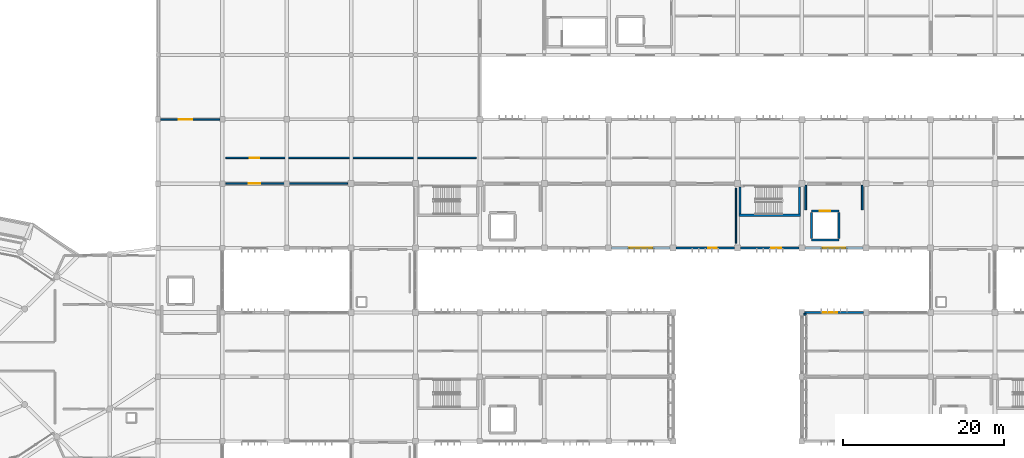
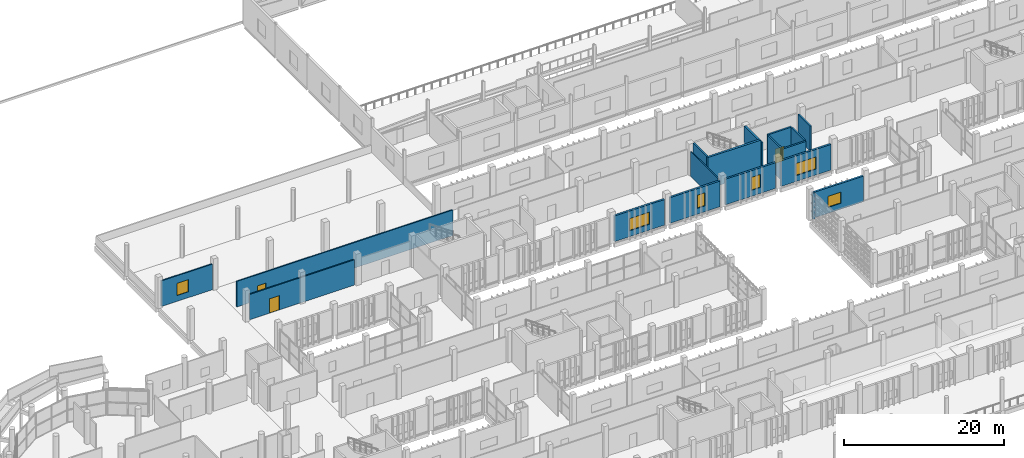
# One storey, part 83 of 106: 19 walls, 6 windows, 3 doors, 9 openings.
"""IFC4 building model written with IfcOpenShell, lengths in metres."""

from ifc_helpers import new_model, si_unit, direction, frame, frame_2d, origin, place, context, subcontext, project, spatial, rectangle, extrude, material, layer, layer_set, type_object, element, fill, save


model = new_model("IFC4")

# Units and contexts
model_context = context("Model", 3, precision=1e-05, world=origin(), true_north=direction((0.0, 1.0)))
body_context = subcontext(model_context, "Body", "Model", "MODEL_VIEW")
ifc_project = project(units=[si_unit("LENGTHUNIT", "METRE"), si_unit("AREAUNIT", "SQUARE_METRE"), si_unit("VOLUMEUNIT", "CUBIC_METRE"), si_unit("PLANEANGLEUNIT", "RADIAN"), si_unit("MASSUNIT", "GRAM", prefix="KILO")], contexts=[model_context])

# Site, building, storey
site_placement = place(None, origin())
site = spatial("IfcSite", under=ifc_project, at=site_placement, CompositionType="ELEMENT")
building_placement = place(site_placement, origin())
building = spatial("IfcBuilding", under=site, at=building_placement, Name="Jelvoka-Kovrelna Polytechnic", CompositionType="ELEMENT")
storey_placement = place(building_placement, frame((0.0, 0.0, 4.800048828125)))
storey = spatial("IfcBuildingStorey", under=building, at=storey_placement, Name="L02", CompositionType="ELEMENT", Elevation=4.800048828125)

# Walls
ifc_material_1 = material(Name="Concrete C35/45", Category="concrete")
ifc_layer_1 = layer(ifc_material_1, 0.219970703125)
ifc_layer_set_1 = layer_set([ifc_layer_1], Name="Concrete C35/45")
wall_type_1 = type_object("IfcWallType", Name="Wall_Compartment_220", PredefinedType="PARTITIONING", material=ifc_layer_set_1)
for number, where, z_axis, x_axis, name in (
    (1, (128.5, 60.75, 0.0), (0.0, 0.0, 1.0), (0.0, 1.0, 0.0), "L02 interior wall 0647"),
    (2, (135.5, 60.75, 0.0), (0.0, 0.0, 1.0), (0.0, 1.0, 0.0), "L02 interior wall 0648"),
):
    element("IfcWall", number, at=place(storey_placement, frame(where, z_axis=z_axis, x_axis=x_axis)), inside=storey, type_object=wall_type_1, Name=name, PredefinedType="PARTITIONING", context=body_context, shape_type="SweptSolid", body=[
        extrude(rectangle(XDim=3.050048828125, YDim=0.219970703125, at=frame_2d((1.52490234375, 0.0))), origin(), (0.0, 0.0, 1.0), 3.760009765625),
    ])
ifc_material_2 = material(Name="Concrete C40/50", Category="concrete")
ifc_layer_2 = layer(ifc_material_2, 0.25)
ifc_layer_set_2 = layer_set([ifc_layer_2], Name="Concrete C40/50")
wall_type_2 = type_object("IfcWallType", Name="Wall_Core_250", PredefinedType="SOLIDWALL", material=ifc_layer_set_2)
wall_1_placement = place(storey_placement, frame((120.324951171875, 60.25, 0.0), z_axis=(0.0, 0.0, 1.0), x_axis=(0.0, 1.0, 0.0)))
element("IfcWall", 3, at=wall_1_placement, inside=storey, type_object=wall_type_2, Name="L02 interior wall 0228", PredefinedType="SOLIDWALL", context=body_context, shape_type="SweptSolid", body=[
    extrude(rectangle(XDim=3.360107421875, YDim=0.25, at=frame_2d((1.68017578125, 0.0))), origin(), (0.0, 0.0, 1.0), 4.800048828125),
])
wall_2_placement = place(storey_placement, frame((129.199951171875, 57.0, 0.0), z_axis=(0.0, 0.0, 1.0), x_axis=(1.0, 0.0, 0.0)))
element("IfcWall", 4, at=wall_2_placement, inside=storey, type_object=wall_type_2, Name="L02 interior wall 0642", PredefinedType="SOLIDWALL", context=body_context, shape_type="SweptSolid", body=[
    extrude(rectangle(XDim=3.400146484375, YDim=0.25, at=frame_2d((1.7001953125, 0.0))), origin(), (0.0, 0.0, 1.0), 4.800048828125),
])

# Wall, opening, door
wall_3_placement = place(storey_placement, frame((129.199951171875, 60.60009765625, 0.0), z_axis=(0.0, 0.0, 1.0), x_axis=(1.0, 0.0, 0.0)))
wall_3 = element("IfcWall", 5, at=wall_3_placement, inside=storey, type_object=wall_type_2, Name="L02 interior wall 0643", PredefinedType="SOLIDWALL", context=body_context, shape_type="SweptSolid", body=[
    extrude(rectangle(XDim=3.400146484375, YDim=0.25, at=frame_2d((1.7001953125, 0.0))), origin(), (0.0, 0.0, 1.0), 4.800048828125),
])
opening_1_placement = place(wall_3_placement, frame((1.050048828125, 0.0, 0.0)))
opening_1 = element("IfcOpeningElement", 6, at=opening_1_placement, cuts=wall_3, Name="Opening LD-L02-48", PredefinedType="OPENING", context=body_context, shape_type="SweptSolid", body=[
    extrude(rectangle(XDim=1.300048828125, YDim=2.199951171875, at=frame_2d((0.64990234375, 1.10009765625))), frame((0.0, 0.135009765625, 0.0), z_axis=(0.0, -1.0, 0.0), x_axis=(1.0, 0.0, 0.0)), (0.0, 0.0, 1.0), 0.27001953125),
])
ifc_material_3 = material(Name="Heavy-duty stainless goods lift landing door", Category="wood")
door_type_1 = type_object("IfcDoorType", Name="Door_Lift_LD02", OperationType="NOTDEFINED", PredefinedType="DOOR", material=ifc_material_3)
door_1_placement = place(opening_1_placement, origin())
door_1 = element("IfcDoor", 7, at=door_1_placement, inside=storey, type_object=door_type_1, Name="L02 lift landing sliding door LD-L02-48", OperationType="DOUBLE_DOOR_SLIDING", OverallHeight=2.199951171875, OverallWidth=1.300048828125, PredefinedType="DOOR", context=body_context, shape_type="SweptSolid", body=[
    extrude(rectangle(XDim=1.300048828125, YDim=2.199951171875, at=frame_2d((0.64990234375, 1.10009765625))), frame((0.0, 0.02490234375, 0.0), z_axis=(0.0, -1.0, 0.0), x_axis=(1.0, 0.0, 0.0)), (0.0, 0.0, 1.0), 0.050048828125),
])
fill(opening_1, door_1)

# Walls
for number, where, z_axis, x_axis, name in (
    (8, (129.199951171875, 57.199951171875, 0.0), (0.0, 0.0, 1.0), (0.0, 1.0, 0.0), "L02 interior wall 0644"),
    (9, (132.60009765625, 57.199951171875, 0.0), (0.0, 0.0, 1.0), (0.0, 1.0, 0.0), "L02 interior wall 0645"),
):
    element("IfcWall", number, at=place(storey_placement, frame(where, z_axis=z_axis, x_axis=x_axis)), inside=storey, type_object=wall_type_2, Name=name, PredefinedType="SOLIDWALL", context=body_context, shape_type="SweptSolid", body=[
        extrude(rectangle(XDim=3.199951171875, YDim=0.25, at=frame_2d((1.60009765625, 0.0))), origin(), (0.0, 0.0, 1.0), 4.800048828125),
    ])

# Wall, opening, door
ifc_material_4 = material(Name="Autoclaved aerated concrete blockwork", Category="masonry")
ifc_layer_3 = layer(ifc_material_4, 0.179931640625)
ifc_layer_set_3 = layer_set([ifc_layer_3], Name="Autoclaved aerated concrete blockwork")
wall_type_3 = type_object("IfcWallType", Name="Wall_Corridor_180", PredefinedType="PARTITIONING", material=ifc_layer_set_3)
wall_4_placement = place(storey_placement, frame((56.429931640625, 64.0, 0.0), z_axis=(0.0, 0.0, 1.0), x_axis=(1.0, 0.0, 0.0)))
wall_4 = element("IfcWall", 10, at=wall_4_placement, inside=storey, type_object=wall_type_3, Name="L02 interior wall 0975", PredefinedType="PARTITIONING", context=body_context, shape_type="SweptSolid", body=[
    extrude(rectangle(XDim=15.14013671875, YDim=0.179931640625, at=frame_2d((7.570068359375, 0.0))), origin(), (0.0, 0.0, 1.0), 3.85986328125),
])
opening_2_placement = place(wall_4_placement, frame((2.85009765625, 0.0, 0.0)))
opening_2 = element("IfcOpeningElement", 11, at=opening_2_placement, cuts=wall_4, Name="Opening D-L02-242", PredefinedType="OPENING", context=body_context, shape_type="SweptSolid", body=[
    extrude(rectangle(XDim=1.43994140625, YDim=2.199951171875, at=frame_2d((0.719970703125, 1.10009765625))), frame((0.0, 0.099853515625, 0.0), z_axis=(0.0, -1.0, 0.0), x_axis=(1.0, 0.0, 0.0)), (0.0, 0.0, 1.0), 0.199951171875),
])
ifc_material_5 = material(Name="Paired hardwood fire-resisting lab door", Category="wood")
door_type_2 = type_object("IfcDoorType", Name="Door_Fire_FD30_06", OperationType="NOTDEFINED", PredefinedType="DOOR", material=ifc_material_5)
door_2_placement = place(opening_2_placement, origin())
door_2 = element("IfcDoor", 12, at=door_2_placement, inside=storey, type_object=door_type_2, Name="L02 interior door D-L02-242", OperationType="DOUBLE_DOOR_SINGLE_SWING", OverallHeight=2.199951171875, OverallWidth=1.43994140625, PredefinedType="DOOR", context=body_context, shape_type="SweptSolid", body=[
    extrude(rectangle(XDim=1.43994140625, YDim=2.199951171875, at=frame_2d((0.719970703125, 1.10009765625))), frame((0.0, 0.02490234375, 0.0), z_axis=(0.0, -1.0, 0.0), x_axis=(1.0, 0.0, 0.0)), (0.0, 0.0, 1.0), 0.050048828125),
])
fill(opening_2, door_2)

wall_5_placement = place(storey_placement, frame((56.429931640625, 67.199951171875, 0.0), z_axis=(0.0, 0.0, 1.0), x_axis=(1.0, 0.0, 0.0)))
wall_5 = element("IfcWall", 13, at=wall_5_placement, inside=storey, type_object=wall_type_3, Name="L02 interior wall 0983", PredefinedType="PARTITIONING", context=body_context, shape_type="SweptSolid", body=[
    extrude(rectangle(XDim=31.14013671875, YDim=0.179931640625, at=frame_2d((15.570068359375, 0.0))), origin(), (0.0, 0.0, 1.0), 3.89990234375),
])
opening_3_placement = place(wall_5_placement, frame((2.9599609375, 0.0, 0.0)))
opening_3 = element("IfcOpeningElement", 14, at=opening_3_placement, cuts=wall_5, Name="Opening D-L02-248", PredefinedType="OPENING", context=body_context, shape_type="SweptSolid", body=[
    extrude(rectangle(XDim=1.219970703125, YDim=2.179931640625, at=frame_2d((0.60986328125, 1.08984375))), frame((0.0, 0.099853515625, 0.0), z_axis=(0.0, -1.0, 0.0), x_axis=(1.0, 0.0, 0.0)), (0.0, 0.0, 1.0), 0.199951171875),
])
ifc_material_6 = material(Name="Hardwood fire-resisting laboratory door", Category="wood")
door_type_3 = type_object("IfcDoorType", Name="Door_Fire_FD30_04", OperationType="NOTDEFINED", PredefinedType="DOOR", material=ifc_material_6)
door_3_placement = place(opening_3_placement, origin())
door_3 = element("IfcDoor", 15, at=door_3_placement, inside=storey, type_object=door_type_3, Name="L02 interior door D-L02-248", OperationType="SINGLE_SWING_RIGHT", OverallHeight=2.179931640625, OverallWidth=1.219970703125, PredefinedType="DOOR", context=body_context, shape_type="SweptSolid", body=[
    extrude(rectangle(XDim=1.219970703125, YDim=2.179931640625, at=frame_2d((0.60986328125, 1.08984375))), frame((0.0, 0.02490234375, 0.0), z_axis=(0.0, -1.0, 0.0), x_axis=(1.0, 0.0, 0.0)), (0.0, 0.0, 1.0), 0.050048828125),
])
fill(opening_3, door_3)

# Wall, opening, window
ifc_material_7 = material(Name="Precast concrete C40/50", Category="concrete")
ifc_layer_4 = layer(ifc_material_7, 0.18505859375)
ifc_layer_set_4 = layer_set([ifc_layer_4], Name="Precast concrete C40/50")
wall_type_4 = type_object("IfcWallType", Name="Wall_Ext_White_260", PredefinedType="STANDARD", material=ifc_layer_set_4)
wall_6_placement = place(storey_placement, frame((48.322021484375, 72.0, 0.0), z_axis=(0.0, 0.0, 1.0), x_axis=(1.0, 0.0, 0.0)))
wall_6 = element("IfcWall", 16, at=wall_6_placement, inside=storey, type_object=wall_type_4, Name="L02 exterior wall 0854", PredefinedType="STANDARD", context=body_context, shape_type="SweptSolid", body=[
    extrude(rectangle(XDim=7.35595703125, YDim=0.18505859375, at=frame_2d((3.677978515625, 0.0))), origin(), (0.0, 0.0, 1.0), 3.909912109375),
])
opening_4_placement = place(wall_6_placement, frame((2.258056640625, 0.0, 0.89990234375)))
opening_4 = element("IfcOpeningElement", 17, at=opening_4_placement, cuts=wall_6, Name="Opening W-L02-495", PredefinedType="OPENING", context=body_context, shape_type="SweptSolid", body=[
    extrude(rectangle(XDim=1.64990234375, YDim=1.85009765625, at=frame_2d((0.824951171875, 0.925048828125))), frame((0.0, 0.1025390625, 0.0), z_axis=(0.0, -1.0, 0.0), x_axis=(1.0, 0.0, 0.0)), (0.0, 0.0, 1.0), 0.205078125),
])
ifc_material_8 = material(Name="Thermally broken anodised aluminium and low-e glazing", Category="aluminium")
window_type_1 = type_object("IfcWindowType", Name="Win_Casement_W44", PartitioningType="DOUBLE_PANEL_VERTICAL", PredefinedType="WINDOW", material=ifc_material_8)
window_1_placement = place(opening_4_placement, origin())
window_1 = element("IfcWindow", 18, at=window_1_placement, inside=storey, type_object=window_type_1, Name="L02 aluminium casement window W-L02-495", OverallHeight=1.85009765625, OverallWidth=1.64990234375, PartitioningType="DOUBLE_PANEL_VERTICAL", PredefinedType="WINDOW", context=body_context, shape_type="SweptSolid", body=[
    extrude(rectangle(XDim=1.64990234375, YDim=1.85009765625, at=frame_2d((0.824951171875, 0.925048828125))), frame((0.0, 0.030029296875, 0.0), z_axis=(0.0, -1.0, 0.0), x_axis=(1.0, 0.0, 0.0)), (0.0, 0.0, 1.0), 0.06005859375),
])
fill(opening_4, window_1)

ifc_material_9 = material(Name="Precast concrete C40/50", Category="concrete")
ifc_layer_5 = layer(ifc_material_9, 0.280029296875)
ifc_layer_set_5 = layer_set([ifc_layer_5], Name="Precast concrete C40/50")
wall_type_5 = type_object("IfcWallType", Name="Wall_Ext_White_280", PredefinedType="STANDARD", material=ifc_layer_set_5)
wall_7_placement = place(storey_placement, frame((128.346923828125, 48.0, 0.0), z_axis=(0.0, 0.0, 1.0), x_axis=(1.0, 0.0, 0.0)))
wall_7 = element("IfcWall", 19, at=wall_7_placement, inside=storey, type_object=wall_type_5, Name="L02 exterior wall 0462", PredefinedType="STANDARD", context=body_context, shape_type="SweptSolid", body=[
    extrude(rectangle(XDim=7.30615234375, YDim=0.280029296875, at=frame_2d((3.653076171875, 0.0))), origin(), (0.0, 0.0, 1.0), 3.909912109375),
])
opening_5_placement = place(wall_7_placement, frame((2.23291015625, 0.0, 0.89990234375)))
opening_5 = element("IfcOpeningElement", 20, at=opening_5_placement, cuts=wall_7, Name="Opening W-L02-179", PredefinedType="OPENING", context=body_context, shape_type="SweptSolid", body=[
    extrude(rectangle(XDim=1.85009765625, YDim=1.699951171875, at=frame_2d((0.925048828125, 0.85009765625))), frame((0.0, 0.150146484375, 0.0), z_axis=(0.0, -1.0, 0.0), x_axis=(1.0, 0.0, 0.0)), (0.0, 0.0, 1.0), 0.300048828125),
])
ifc_material_10 = material(Name="Thermally broken anodised aluminium and low-e glazing", Category="aluminium")
window_type_2 = type_object("IfcWindowType", Name="Win_Casement_W35", PartitioningType="DOUBLE_PANEL_VERTICAL", PredefinedType="WINDOW", material=ifc_material_10)
window_2_placement = place(opening_5_placement, origin())
window_2 = element("IfcWindow", 21, at=window_2_placement, inside=storey, type_object=window_type_2, Name="L02 aluminium casement window W-L02-179", OverallHeight=1.699951171875, OverallWidth=1.85009765625, PartitioningType="DOUBLE_PANEL_VERTICAL", PredefinedType="WINDOW", context=body_context, shape_type="SweptSolid", body=[
    extrude(rectangle(XDim=1.85009765625, YDim=1.699951171875, at=frame_2d((0.925048828125, 0.85009765625))), frame((0.0, 0.030029296875, 0.0), z_axis=(0.0, -1.0, 0.0), x_axis=(1.0, 0.0, 0.0)), (0.0, 0.0, 1.0), 0.06005859375),
])
fill(opening_5, window_2)

wall_8_placement = place(storey_placement, frame((111.6279296875, 56.0, 0.0), z_axis=(0.0, 0.0, 1.0), x_axis=(-1.0, 0.0, 0.0)))
wall_8 = element("IfcWall", 22, at=wall_8_placement, inside=storey, type_object=wall_type_5, Name="L02 exterior wall 0614", PredefinedType="STANDARD", context=body_context, shape_type="SweptSolid", body=[
    extrude(rectangle(XDim=7.255859375, YDim=0.280029296875, at=frame_2d((3.6279296875, 0.0))), origin(), (0.0, 0.0, 1.0), 3.909912109375),
])
opening_6_placement = place(wall_8_placement, frame((2.2080078125, 0.0, 0.89990234375)))
opening_6 = element("IfcOpeningElement", 23, at=opening_6_placement, cuts=wall_8, Name="Opening W-L02-288", PredefinedType="OPENING", context=body_context, shape_type="SweptSolid", body=[
    extrude(rectangle(XDim=2.85009765625, YDim=1.85009765625, at=frame_2d((1.425048828125, 0.925048828125))), frame((0.0, 0.150146484375, 0.0), z_axis=(0.0, -1.0, 0.0), x_axis=(1.0, 0.0, 0.0)), (0.0, 0.0, 1.0), 0.300048828125),
])
ifc_material_11 = material(Name="Thermally broken anodised aluminium and low-e glazing", Category="aluminium")
window_type_3 = type_object("IfcWindowType", Name="Win_Casement_W50", PartitioningType="DOUBLE_PANEL_VERTICAL", PredefinedType="WINDOW", material=ifc_material_11)
window_3_placement = place(opening_6_placement, origin())
window_3 = element("IfcWindow", 24, at=window_3_placement, inside=storey, type_object=window_type_3, Name="L02 aluminium casement window W-L02-288", OverallHeight=1.85009765625, OverallWidth=2.85009765625, PartitioningType="DOUBLE_PANEL_VERTICAL", PredefinedType="WINDOW", context=body_context, shape_type="SweptSolid", body=[
    extrude(rectangle(XDim=2.85009765625, YDim=1.85009765625, at=frame_2d((1.425048828125, 0.925048828125))), frame((0.0, 0.030029296875, 0.0), z_axis=(0.0, -1.0, 0.0), x_axis=(1.0, 0.0, 0.0)), (0.0, 0.0, 1.0), 0.06005859375),
])
fill(opening_6, window_3)

wall_9_placement = place(storey_placement, frame((119.6279296875, 56.0, 0.0), z_axis=(0.0, 0.0, 1.0), x_axis=(-1.0, 0.0, 0.0)))
wall_9 = element("IfcWall", 25, at=wall_9_placement, inside=storey, type_object=wall_type_5, Name="L02 exterior wall 0616", PredefinedType="STANDARD", context=body_context, shape_type="SweptSolid", body=[
    extrude(rectangle(XDim=7.255859375, YDim=0.280029296875, at=frame_2d((3.6279296875, 0.0))), origin(), (0.0, 0.0, 1.0), 3.909912109375),
])
opening_7_placement = place(wall_9_placement, frame((2.2080078125, 0.0, 0.89990234375)))
opening_7 = element("IfcOpeningElement", 26, at=opening_7_placement, cuts=wall_9, Name="Opening W-L02-290", PredefinedType="OPENING", context=body_context, shape_type="SweptSolid", body=[
    extrude(rectangle(XDim=1.050048828125, YDim=2.0, at=frame_2d((0.52490234375, 1.0))), frame((0.0, 0.150146484375, 0.0), z_axis=(0.0, -1.0, 0.0), x_axis=(1.0, 0.0, 0.0)), (0.0, 0.0, 1.0), 0.300048828125),
])
ifc_material_12 = material(Name="Thermally broken anodised aluminium and low-e glazing", Category="aluminium")
window_type_4 = type_object("IfcWindowType", Name="Win_Casement_W51", PartitioningType="SINGLE_PANEL", PredefinedType="WINDOW", material=ifc_material_12)
window_4_placement = place(opening_7_placement, origin())
window_4 = element("IfcWindow", 27, at=window_4_placement, inside=storey, type_object=window_type_4, Name="L02 aluminium casement window W-L02-290", OverallHeight=2.0, OverallWidth=1.050048828125, PartitioningType="SINGLE_PANEL", PredefinedType="WINDOW", context=body_context, shape_type="SweptSolid", body=[
    extrude(rectangle(XDim=1.050048828125, YDim=2.0, at=frame_2d((0.52490234375, 1.0))), frame((0.0, 0.030029296875, 0.0), z_axis=(0.0, -1.0, 0.0), x_axis=(1.0, 0.0, 0.0)), (0.0, 0.0, 1.0), 0.06005859375),
])
fill(opening_7, window_4)

wall_10_placement = place(storey_placement, frame((127.6279296875, 56.0, 0.0), z_axis=(0.0, 0.0, 1.0), x_axis=(-1.0, 0.0, 0.0)))
wall_10 = element("IfcWall", 28, at=wall_10_placement, inside=storey, type_object=wall_type_5, Name="L02 exterior wall 0618", PredefinedType="STANDARD", context=body_context, shape_type="SweptSolid", body=[
    extrude(rectangle(XDim=7.255859375, YDim=0.280029296875, at=frame_2d((3.6279296875, 0.0))), origin(), (0.0, 0.0, 1.0), 3.909912109375),
])
opening_8_placement = place(wall_10_placement, frame((2.2080078125, 0.0, 0.89990234375)))
opening_8 = element("IfcOpeningElement", 29, at=opening_8_placement, cuts=wall_10, Name="Opening W-L02-292", PredefinedType="OPENING", context=body_context, shape_type="SweptSolid", body=[
    extrude(rectangle(XDim=1.25, YDim=2.0, at=frame_2d((0.625, 1.0))), frame((0.0, 0.150146484375, 0.0), z_axis=(0.0, -1.0, 0.0), x_axis=(1.0, 0.0, 0.0)), (0.0, 0.0, 1.0), 0.300048828125),
])
ifc_material_13 = material(Name="Thermally broken anodised aluminium and low-e glazing", Category="aluminium")
window_type_5 = type_object("IfcWindowType", Name="Win_Casement_W52", PartitioningType="SINGLE_PANEL", PredefinedType="WINDOW", material=ifc_material_13)
window_5_placement = place(opening_8_placement, origin())
window_5 = element("IfcWindow", 30, at=window_5_placement, inside=storey, type_object=window_type_5, Name="L02 aluminium casement window W-L02-292", OverallHeight=2.0, OverallWidth=1.25, PartitioningType="SINGLE_PANEL", PredefinedType="WINDOW", context=body_context, shape_type="SweptSolid", body=[
    extrude(rectangle(XDim=1.25, YDim=2.0, at=frame_2d((0.625, 1.0))), frame((0.0, 0.030029296875, 0.0), z_axis=(0.0, -1.0, 0.0), x_axis=(1.0, 0.0, 0.0)), (0.0, 0.0, 1.0), 0.06005859375),
])
fill(opening_8, window_5)

wall_11_placement = place(storey_placement, frame((135.6279296875, 56.0, 0.0), z_axis=(0.0, 0.0, 1.0), x_axis=(-1.0, 0.0, 0.0)))
wall_11 = element("IfcWall", 31, at=wall_11_placement, inside=storey, type_object=wall_type_5, Name="L02 exterior wall 0620", PredefinedType="STANDARD", context=body_context, shape_type="SweptSolid", body=[
    extrude(rectangle(XDim=7.255859375, YDim=0.280029296875, at=frame_2d((3.6279296875, 0.0))), origin(), (0.0, 0.0, 1.0), 3.909912109375),
])
opening_9_placement = place(wall_11_placement, frame((2.2080078125, 0.0, 0.89990234375)))
opening_9 = element("IfcOpeningElement", 32, at=opening_9_placement, cuts=wall_11, Name="Opening W-L02-294", PredefinedType="OPENING", context=body_context, shape_type="SweptSolid", body=[
    extrude(rectangle(XDim=2.85009765625, YDim=1.85009765625, at=frame_2d((1.425048828125, 0.925048828125))), frame((0.0, 0.150146484375, 0.0), z_axis=(0.0, -1.0, 0.0), x_axis=(1.0, 0.0, 0.0)), (0.0, 0.0, 1.0), 0.300048828125),
])
window_6_placement = place(opening_9_placement, origin())
window_6 = element("IfcWindow", 33, at=window_6_placement, inside=storey, type_object=window_type_3, Name="L02 aluminium casement window W-L02-294", OverallHeight=1.85009765625, OverallWidth=2.85009765625, PartitioningType="DOUBLE_PANEL_VERTICAL", PredefinedType="WINDOW", context=body_context, shape_type="SweptSolid", body=[
    extrude(rectangle(XDim=2.85009765625, YDim=1.85009765625, at=frame_2d((1.425048828125, 0.925048828125))), frame((0.0, 0.030029296875, 0.0), z_axis=(0.0, -1.0, 0.0), x_axis=(1.0, 0.0, 0.0)), (0.0, 0.0, 1.0), 0.06005859375),
])
fill(opening_9, window_6)

# Walls
ifc_material_14 = material(Name="Precast concrete C40/50", Category="concrete")
ifc_layer_6 = layer(ifc_material_14, 0.199951171875)
ifc_layer_set_6 = layer_set([ifc_layer_6], Name="Precast concrete C40/50")
wall_type_6 = type_object("IfcWallType", Name="Wall_Parapet_200", PredefinedType="PARAPET", material=ifc_layer_set_6)
wall_12_placement = place(storey_placement, frame((128.239990234375, 47.780029296875, 0.0), z_axis=(0.0, 0.0, 1.0), x_axis=(1.0, 0.0, 0.0)))
element("IfcWall", 34, at=wall_12_placement, inside=storey, type_object=wall_type_6, Name="L02 exterior wall 0471", PredefinedType="PARAPET", context=body_context, shape_type="SweptSolid", body=[
    extrude(rectangle(XDim=0.320068359375, YDim=0.199951171875, at=frame_2d((0.16015625, 0.0))), origin(), (0.0, 0.0, 1.0), 3.949951171875),
])
ifc_material_15 = material(Name="Autoclaved aerated concrete blockwork", Category="masonry")
ifc_layer_7 = layer(ifc_material_15, 0.14990234375)
ifc_layer_set_7 = layer_set([ifc_layer_7], Name="Autoclaved aerated concrete blockwork")
wall_type_7 = type_object("IfcWallType", Name="Wall_Partition_150", PredefinedType="PARTITIONING", material=ifc_layer_set_7)
wall_13_placement = place(storey_placement, frame((119.820068359375, 56.6201171875, 0.0), z_axis=(0.0, 0.0, 1.0), x_axis=(0.0, 1.0, 0.0)))
element("IfcWall", 35, at=wall_13_placement, inside=storey, type_object=wall_type_7, Name="L02 interior wall 0980", PredefinedType="PARTITIONING", context=body_context, shape_type="SweptSolid", body=[
    extrude(rectangle(XDim=6.809814453125, YDim=0.14990234375, at=frame_2d((3.40478515625, 0.0))), origin(), (0.0, 0.0, 1.0), 3.760009765625),
])
ifc_material_16 = material(Name="Concrete C40/50", Category="concrete")
ifc_layer_8 = layer(ifc_material_16, 0.300048828125)
ifc_layer_set_8 = layer_set([ifc_layer_8], Name="Concrete C40/50")
wall_type_8 = type_object("IfcWallType", Name="Wall_Shear_300", PredefinedType="SHEAR", material=ifc_layer_set_8)
wall_14_placement = place(storey_placement, frame((120.199951171875, 60.090087890625, 0.0), z_axis=(0.0, 0.0, 1.0), x_axis=(1.0, 0.0, 0.0)))
element("IfcWall", 36, at=wall_14_placement, inside=storey, type_object=wall_type_8, Name="L02 interior wall 0225", PredefinedType="SHEAR", context=body_context, shape_type="SweptSolid", body=[
    extrude(rectangle(XDim=7.650146484375, YDim=0.300048828125, at=frame_2d((3.8251953125, 0.0))), origin(), (0.0, 0.0, 1.0), 4.800048828125),
])
wall_15_placement = place(storey_placement, frame((127.7099609375, 60.25, 0.0), z_axis=(0.0, 0.0, 1.0), x_axis=(0.0, 1.0, 0.0)))
element("IfcWall", 37, at=wall_15_placement, inside=storey, type_object=wall_type_8, Name="L02 interior wall 0226", PredefinedType="SHEAR", context=body_context, shape_type="SweptSolid", body=[
    extrude(rectangle(XDim=3.360107421875, YDim=0.300048828125, at=frame_2d((1.68017578125, 0.0))), origin(), (0.0, 0.0, 1.0), 4.800048828125),
])

save(model, "model.ifc")
